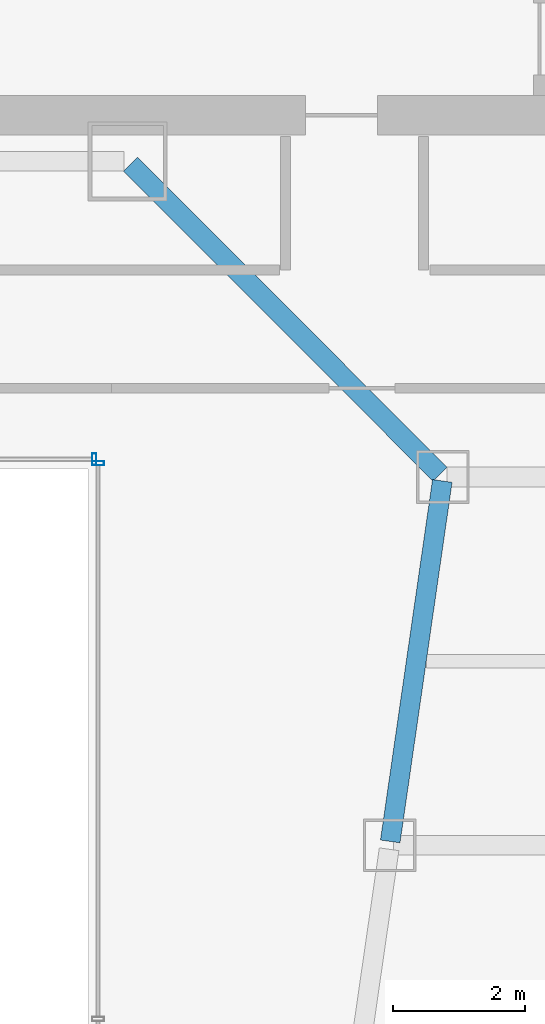
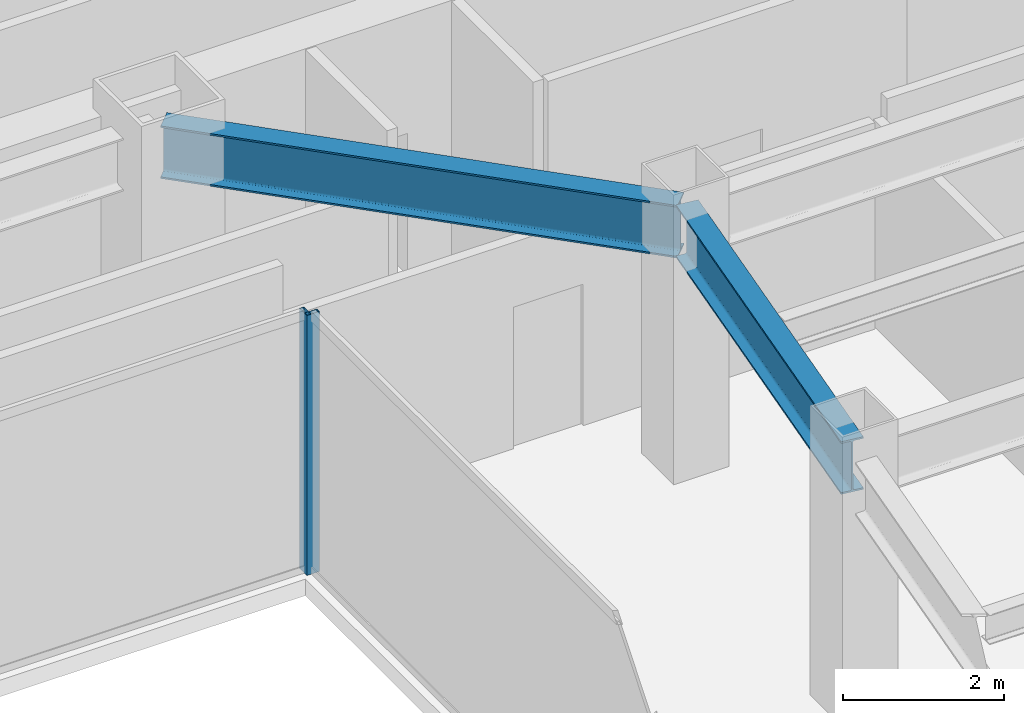
# One storey, part 29 of 47: 2 beams, 2 members, 2 elements without a shape of their own.
"""IFC4 building model written with IfcOpenShell, lengths in metres."""

import ifcopenshell
import ifcopenshell.guid

model = None  # the IFC model being written
_history = None  # IfcOwnerHistory: only IFC2X3 demands one
_inside = {}  # id of a spatial element -> (the spatial element, [elements in it])
_under = {}  # id of a project, library or spatial element -> (it, [spatial elements below it])
_declared = {}  # id of a project -> (the project, [libraries it declares])
_typed = {}  # id of a type object -> (the type object, [elements of that type])
_made_of = {}  # id of a material, layer set ... -> (it, [elements and type objects made of it])


def new_model(schema):
    """Start an empty IFC model of exactly this schema.

    Asked for "IFC4X3", IfcOpenShell would pick the latest addendum, in which some entities
    have other attributes; the version numbers below select the first issue.
    IFC2X3 requires an IfcOwnerHistory on every rooted entity: one is made here for all.
    """
    global model, _history
    if schema == "IFC4X3":
        model = ifcopenshell.file(schema_version=(4, 3, 0, 0))
    else:
        model = ifcopenshell.file(schema=schema)
    _inside.clear()
    _under.clear()
    _declared.clear()
    _typed.clear()
    _made_of.clear()
    _history = None
    if model.schema == "IFC2X3":
        org = make("IfcOrganization", Name="unknown")
        user = make(
            "IfcPersonAndOrganization",
            ThePerson=make("IfcPerson", FamilyName="unknown"),
            TheOrganization=org,
        )
        app = make(
            "IfcApplication",
            ApplicationDeveloper=org,
            Version="unknown",
            ApplicationFullName="unknown",
            ApplicationIdentifier="unknown",
        )
        _history = make(
            "IfcOwnerHistory",
            OwningUser=user,
            OwningApplication=app,
            ChangeAction="ADDED",
            CreationDate=0,
        )
    return model


def make(cls, **values):
    """One entity of the class cls with the attributes given. An attribute that is None is left unset."""
    return model.create_entity(
        cls, **{name: value for name, value in values.items() if value is not None}
    )


def rooted(cls, **values):
    """An entity with a GlobalId (a new one), such as an element, a storey or a relation."""
    return make(cls, GlobalId=ifcopenshell.guid.new(), OwnerHistory=_history, **values)


def si_unit(unit_type, name, prefix=None):
    """IfcSIUnit, for example si_unit("LENGTHUNIT", "METRE", prefix="MILLI")."""
    return make("IfcSIUnit", UnitType=unit_type, Prefix=prefix, Name=name)


def assignment(units):
    """IfcUnitAssignment: the units of a project."""
    return None if units is None else make("IfcUnitAssignment", Units=units)


def point(xyz):
    """IfcCartesianPoint."""
    return None if xyz is None else make("IfcCartesianPoint", Coordinates=xyz)


def direction(xyz):
    """IfcDirection."""
    return None if xyz is None else make("IfcDirection", DirectionRatios=xyz)


def frame(location, z_axis=None, x_axis=None):
    """IfcAxis2Placement3D, a coordinate frame: its origin and axes. An axis left out is left unset."""
    return make(
        "IfcAxis2Placement3D",
        Location=point(location),
        Axis=direction(z_axis),
        RefDirection=direction(x_axis),
    )


def frame_2d(location, x_axis=None):
    """IfcAxis2Placement2D, a coordinate frame in the plane: its origin and x axis."""
    return make(
        "IfcAxis2Placement2D", Location=point(location), RefDirection=direction(x_axis)
    )


def origin():
    """The frame at (0, 0, 0) with its axes left unset."""
    return frame((0.0, 0.0, 0.0))


def origin_2d():
    """The frame at (0, 0) in the plane with its x axis left unset."""
    return frame_2d((0.0, 0.0))


def place(relative_to, where):
    """IfcLocalPlacement: puts the frame where relative to a parent placement (None: the world)."""
    return make(
        "IfcLocalPlacement", PlacementRelTo=relative_to, RelativePlacement=where
    )


def context(
    kind, dimensions, precision=None, world=None, true_north=None, identifier=None
):
    """IfcGeometricRepresentationContext, for example the 3D "Model" context."""
    return make(
        "IfcGeometricRepresentationContext",
        ContextIdentifier=identifier,
        ContextType=kind,
        CoordinateSpaceDimension=dimensions,
        Precision=precision,
        WorldCoordinateSystem=world,
        TrueNorth=true_north,
    )


def subcontext(parent, identifier, kind, view, scale=None):
    """IfcGeometricRepresentationSubContext, for example "Body" below "Model"."""
    return make(
        "IfcGeometricRepresentationSubContext",
        ContextIdentifier=identifier,
        ContextType=kind,
        ParentContext=parent,
        TargetScale=scale,
        TargetView=view,
    )


def project(units=None, contexts=None):
    """IfcProject with its units and contexts."""
    return rooted(
        "IfcProject",
        Name="project",
        RepresentationContexts=contexts,
        UnitsInContext=assignment(units),
    )


def spatial(cls, under=None, at=None, **own):
    """A site, building, storey or space (cls), placed at a placement, below another one or the project."""
    s = rooted(cls, ObjectPlacement=at, **own)
    if under is not None:
        _under.setdefault(under.id(), (under, []))[1].append(s)
    return s


def profile(cls, at=None, kind="AREA", **sizes):
    """A parametric profile (cls). Its sizes go by their IFC names, for example OverallWidth=200.0."""
    return make(cls, ProfileType=kind, Position=at, **sizes)


def hollow_rectangle(**sizes):
    """IfcRectangleHollowProfileDef."""
    return profile("IfcRectangleHollowProfileDef", **sizes)


def i_section(**sizes):
    """IfcIShapeProfileDef."""
    return profile("IfcIShapeProfileDef", **sizes)


def extrude(swept, where, along, depth):
    """IfcExtrudedAreaSolid: the profile swept, set in the frame where, extruded along a direction by depth."""
    return make(
        "IfcExtrudedAreaSolid",
        SweptArea=swept,
        Position=where,
        ExtrudedDirection=direction(along),
        Depth=depth,
    )


def shape(context_of_items, identifier, shape_type, items):
    """IfcShapeRepresentation: the items that make up one representation, for example the "Body"."""
    return make(
        "IfcShapeRepresentation",
        ContextOfItems=context_of_items,
        RepresentationIdentifier=identifier,
        RepresentationType=shape_type,
        Items=items,
    )


def material(Name=None, Category=None):
    """IfcMaterial."""
    return make("IfcMaterial", Name=Name, Category=Category)


def material_profile(
    of_material, cross_section, Name=None, Category=None, Priority=None
):
    """IfcMaterialProfile: a cross section and its material."""
    return make(
        "IfcMaterialProfile",
        Name=Name,
        Material=of_material,
        Profile=cross_section,
        Priority=Priority,
        Category=Category,
    )


def profile_set(profiles, Name=None, composite=None):
    """IfcMaterialProfileSet."""
    return make(
        "IfcMaterialProfileSet",
        Name=Name,
        MaterialProfiles=profiles,
        CompositeProfile=composite,
    )


def made_of(thing, what):
    """Note that an element or type object is made of a material, layer set ...; save() writes the relation."""
    if what is not None:
        _made_of.setdefault(what.id(), (what, []))[1].append(thing)
    return thing


def type_object(cls, material=None, **own):
    """A type object (cls), such as IfcWallType, which elements share."""
    return made_of(rooted(cls, **own), material)


def element(
    cls,
    number,
    at=None,
    inside=None,
    cuts=None,
    type_object=None,
    material=None,
    context=None,
    identifier="Body",
    shape_type=None,
    held_by="IfcProductDefinitionShape",
    body=None,
    shapes=None,
    **own,
):
    """One element of the class cls, such as IfcWall. Its Tag is "e" and its number.

    at: its placement. inside: the storey or other place that contains it. cuts: it is an
    opening in that element (IfcRelVoidsElement). A single representation is given by context,
    identifier, shape_type and body (its items); several are given by shapes. held_by: the class
    of the entity that holds the representations. save() writes the other relations.
    """
    e = rooted(cls, Tag="e%d" % number, ObjectPlacement=at, **own)
    if body is not None:
        shapes = [shape(context, identifier, shape_type, body)]
    if shapes is not None:
        e.Representation = make(held_by, Representations=shapes)
    if inside is not None:
        _inside.setdefault(inside.id(), (inside, []))[1].append(e)
    if cuts is not None:
        rooted(
            "IfcRelVoidsElement", RelatingBuildingElement=cuts, RelatedOpeningElement=e
        )
    if type_object is not None:
        _typed.setdefault(type_object.id(), (type_object, []))[1].append(e)
    return made_of(e, material)


def aggregate(whole, parts):
    """IfcRelAggregates: a whole, such as a stair, and the parts it consists of."""
    return rooted("IfcRelAggregates", RelatingObject=whole, RelatedObjects=parts)


def save(model, path):
    """Write the relations noted so far, then the file.

    IfcRelAggregates (storeys below a building ...), IfcRelContainedInSpatialStructure (elements
    in a storey), IfcRelDefinesByType, IfcRelAssociatesMaterial and IfcRelDeclares: one each for
    every whole, place, type object, material and project.
    """
    for whole, parts in _under.values():
        aggregate(whole, parts)
    for where, things in _inside.values():
        rooted(
            "IfcRelContainedInSpatialStructure",
            RelatedElements=things,
            RelatingStructure=where,
        )
    for kind, things in _typed.values():
        rooted("IfcRelDefinesByType", RelatedObjects=things, RelatingType=kind)
    for what, things in _made_of.values():
        rooted("IfcRelAssociatesMaterial", RelatedObjects=things, RelatingMaterial=what)
    for by, libraries in _declared.values():
        rooted("IfcRelDeclares", RelatingContext=by, RelatedDefinitions=libraries)
    model.write(path)


model = new_model("IFC4")

# Units and contexts
model_context = context("Model", 3, precision=1e-05, world=origin(), true_north=direction((0.0, 1.0)))
body_context = subcontext(model_context, "Body", "Model", "MODEL_VIEW")
ifc_project = project(units=[si_unit("LENGTHUNIT", "METRE"), si_unit("AREAUNIT", "SQUARE_METRE"), si_unit("VOLUMEUNIT", "CUBIC_METRE"), si_unit("PLANEANGLEUNIT", "RADIAN"), si_unit("MASSUNIT", "GRAM", prefix="KILO")], contexts=[model_context])

# Site, building, storey
site_placement = place(None, origin())
site = spatial("IfcSite", under=ifc_project, at=site_placement, CompositionType="ELEMENT")
building_placement = place(site_placement, origin())
building = spatial("IfcBuilding", under=site, at=building_placement, Name="Saevonmaru Cultural Tower", CompositionType="ELEMENT")
storey_placement = place(building_placement, frame((0.0, 0.0, 82.39990234375)))
storey = spatial("IfcBuildingStorey", under=building, at=storey_placement, Name="L17", CompositionType="ELEMENT", Elevation=82.39990234375)

# Beams
ifc_material_1 = material(Name="Steel SM420", Category="steel")
ifc_material_profile_1 = material_profile(ifc_material_1, i_section(OverallWidth=0.300048828125, OverallDepth=0.800048828125, WebThickness=0.013916015625, FlangeThickness=0.02587890625, FilletRadius=0.028076171875, at=origin_2d()), Name="H-800x300x14x26")
ifc_profile_set_1 = profile_set([ifc_material_profile_1], Name="Steel SM420")
beam_type = type_object("IfcBeamType", Name="BM-G-H800", PredefinedType="BEAM", material=ifc_profile_set_1)
beam_1_placement = place(storey_placement, frame((40.3916015625, 32.059326171875, 3.550048828125), z_axis=(0.142964121327, 0.989727871697, 0.0), x_axis=(-0.989727871697, 0.142964121327, 0.0)))
element("IfcBeam", 1, at=beam_1_placement, inside=storey, type_object=beam_type, Name="L17 East Atrium Girder 5", PredefinedType="BEAM", context=body_context, shape_type="SweptSolid", body=[
    extrude(i_section(OverallWidth=0.300048828125, OverallDepth=0.800048828125, WebThickness=0.013916015625, FlangeThickness=0.02587890625, FilletRadius=0.028076171875, at=origin_2d()), origin(), (0.0, 0.0, 1.0), 5.5380859375),
])
beam_2_placement = place(storey_placement, frame((41.149658203125, 37.642578125, 3.550048828125), z_axis=(-0.706538566564, 0.707674539572, 0.0), x_axis=(-0.707674539572, -0.706538566564, 0.0)))
element("IfcBeam", 2, at=beam_2_placement, inside=storey, type_object=beam_type, Name="L17 East Atrium Girder 6", PredefinedType="BEAM", context=body_context, shape_type="SweptSolid", body=[
    extrude(i_section(OverallWidth=0.300048828125, OverallDepth=0.800048828125, WebThickness=0.013916015625, FlangeThickness=0.02587890625, FilletRadius=0.028076171875, at=origin_2d()), origin(), (0.0, 0.0, 1.0), 6.662353515625),
])

# Curtain wall, member
ifc_material_2 = material(Name="Satin Bronze Anodised Aluminium", Category="aluminium")
curtain_wall_type = type_object("IfcCurtainWallType", Name="CW-ATR-GLZ", PredefinedType="NOTDEFINED", material=ifc_material_2)
curtain_wall_1_placement = place(storey_placement, origin())
curtain_wall_1 = element("IfcCurtainWall", 3, at=curtain_wall_1_placement, inside=storey, type_object=curtain_wall_type, Name="L17 Vertical Atrium Glazed Smoke Screen 2", PredefinedType="NOTDEFINED")
ifc_material_profile_2 = material_profile(ifc_material_2, hollow_rectangle(XDim=0.06494140625, YDim=0.179931640625, WallThickness=0.00390625, at=origin_2d()), Name="ALU-MULL-180x65x4")
ifc_profile_set_2 = profile_set([ifc_material_profile_2], Name="Satin Bronze Anodised Aluminium")
member_type = type_object("IfcMemberType", Name="ML-CW-INT-180x65", PredefinedType="MULLION", material=ifc_profile_set_2)
member_1_placement = place(storey_placement, frame((35.949951171875, 37.81005859375, 0.0), z_axis=(0.0, 0.0, 1.0), x_axis=(0.0, 1.0, 0.0)))
member_1 = element("IfcMember", 4, at=member_1_placement, type_object=member_type, Name="CW-ATR-L17-2 mullion 3", PredefinedType="MULLION", context=body_context, shape_type="SweptSolid", body=[
    extrude(hollow_rectangle(XDim=0.06494140625, YDim=0.179931640625, WallThickness=0.00390625, at=origin_2d()), origin(), (0.0, 0.0, 1.0), 3.9501953125),
])
aggregate(curtain_wall_1, [member_1])

curtain_wall_2_placement = place(storey_placement, origin())
curtain_wall_2 = element("IfcCurtainWall", 5, at=curtain_wall_2_placement, inside=storey, type_object=curtain_wall_type, Name="L17 Vertical Atrium Glazed Smoke Screen 3", PredefinedType="NOTDEFINED")
member_2_placement = place(storey_placement, frame((35.889892578125, 37.8701171875, 0.0), z_axis=(0.0, 0.0, 1.0), x_axis=(-1.0, 0.0, 0.0)))
member_2 = element("IfcMember", 6, at=member_2_placement, type_object=member_type, Name="CW-ATR-L17-3 mullion 1", PredefinedType="MULLION", context=body_context, shape_type="SweptSolid", body=[
    extrude(hollow_rectangle(XDim=0.06494140625, YDim=0.179931640625, WallThickness=0.00390625, at=origin_2d()), origin(), (0.0, 0.0, 1.0), 3.9501953125),
])
aggregate(curtain_wall_2, [member_2])

save(model, "model.ifc")
